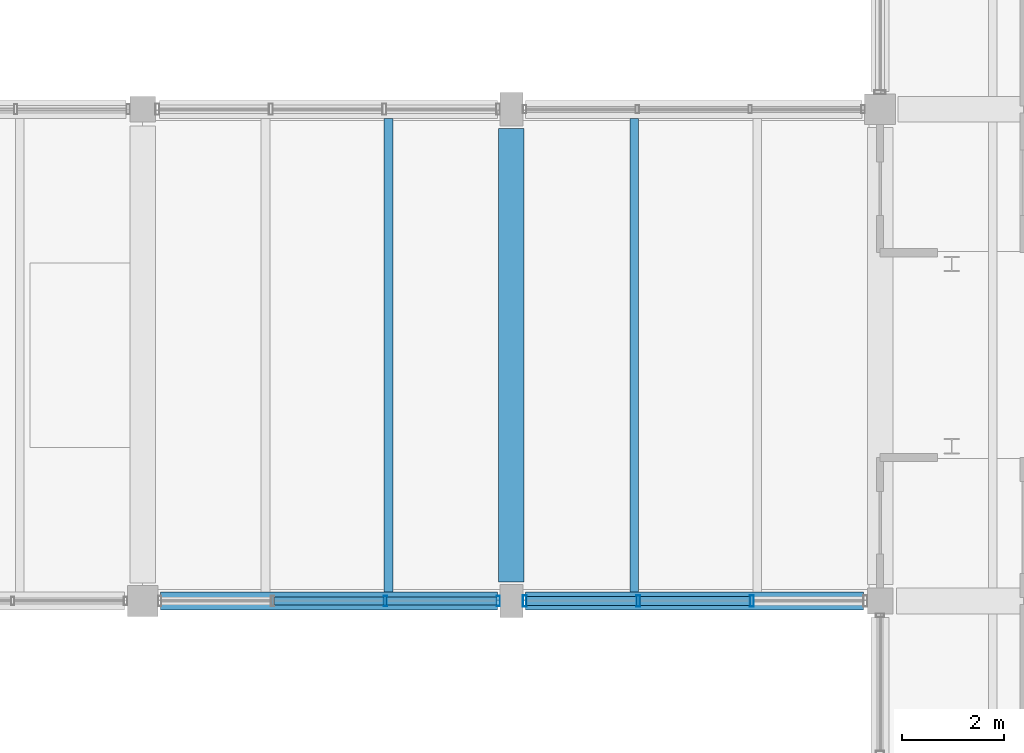
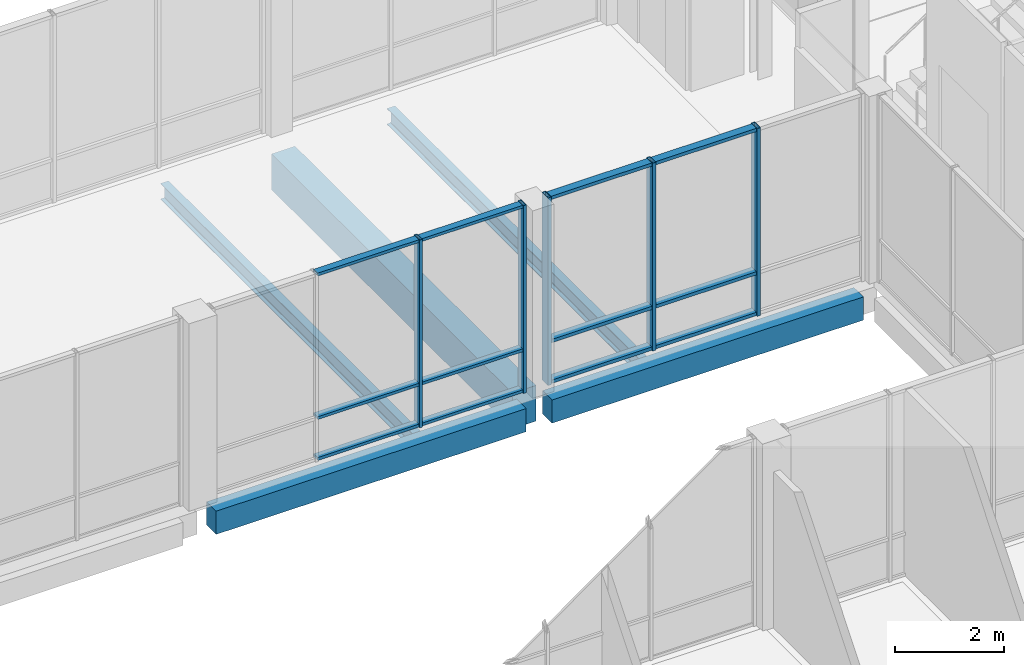
# One storey, part 28 of 104: 17 members, 5 beams, 2 elements without a shape of their own.
"""IFC4 building model written with IfcOpenShell, lengths in metres."""

from ifc_helpers import new_model, si_unit, direction, frame, origin, origin_2d, place, context, subcontext, project, spatial, rectangle, hollow_rectangle, i_section, extrude, material, material_profile, profile_set, type_object, element, aggregate, save


model = new_model("IFC4")

# Units and contexts
model_context = context("Model", 3, precision=1e-05, world=origin(), true_north=direction((0.0, 1.0)))
body_context = subcontext(model_context, "Body", "Model", "MODEL_VIEW")
ifc_project = project(units=[si_unit("LENGTHUNIT", "METRE"), si_unit("AREAUNIT", "SQUARE_METRE"), si_unit("VOLUMEUNIT", "CUBIC_METRE"), si_unit("PLANEANGLEUNIT", "RADIAN"), si_unit("MASSUNIT", "GRAM", prefix="KILO")], contexts=[model_context])

# Site, building, storey
site_placement = place(None, origin())
site = spatial("IfcSite", under=ifc_project, at=site_placement, CompositionType="ELEMENT")
building_placement = place(site_placement, origin())
building = spatial("IfcBuilding", under=site, at=building_placement, Name="Hawrajan Terrace Health Centre", CompositionType="ELEMENT")
storey_placement = place(building_placement, origin())
storey = spatial("IfcBuildingStorey", under=building, at=storey_placement, Name="L00", CompositionType="ELEMENT", Elevation=0.0)

# Curtain wall, members
ifc_material_1 = material(Name="Anodized bronze aluminium and low-E solar glazing", Category="aluminium")
curtain_wall_type_1 = type_object("IfcCurtainWallType", Name="CW_Setback_SeriesL1", PredefinedType="USERDEFINED", material=ifc_material_1)
curtain_wall_1_placement = place(storey_placement, origin())
curtain_wall_1 = element("IfcCurtainWall", 1, at=curtain_wall_1_placement, inside=storey, type_object=curtain_wall_type_1, Name="Curtain wall CW-L00-022", ObjectType="UNITISED CURTAIN WALL", PredefinedType="USERDEFINED")
ifc_material_2 = material(Name="Anodized bronze aluminium 6063-T6", Category="aluminium")
ifc_material_profile_1 = material_profile(ifc_material_2, hollow_rectangle(XDim=0.06494140625, YDim=0.199951171875, WallThickness=0.00439453125, at=origin_2d()), Name="CW MUL 65x200")
ifc_profile_set_1 = profile_set([ifc_material_profile_1], Name="Anodized bronze aluminium 6063-T6")
member_type_1 = type_object("IfcMemberType", Name="CWMullion_65x200", PredefinedType="MULLION", material=ifc_profile_set_1)
member_1_placement = place(storey_placement, frame((52.539306640625, 27.199951171875, -0.0048828125), z_axis=(0.0, 0.0, 1.0), x_axis=(1.0, 0.0, 0.0)))
member_1 = element("IfcMember", 2, at=member_1_placement, type_object=member_type_1, Name="Mullion CW-L00-022-M3", PredefinedType="MULLION", context=body_context, shape_type="SweptSolid", body=[
    extrude(hollow_rectangle(XDim=0.06494140625, YDim=0.199951171875, WallThickness=0.00439453125, at=origin_2d()), origin(), (0.0, 0.0, 1.0), 4.2099609375),
])
member_2_placement = place(storey_placement, frame((54.742431640625, 27.199951171875, -0.0048828125), z_axis=(0.0, 0.0, 1.0), x_axis=(1.0, 0.0, 0.0)))
member_2 = element("IfcMember", 3, at=member_2_placement, type_object=member_type_1, Name="Mullion CW-L00-022-M4", PredefinedType="MULLION", context=body_context, shape_type="SweptSolid", body=[
    extrude(hollow_rectangle(XDim=0.06494140625, YDim=0.199951171875, WallThickness=0.00439453125, at=origin_2d()), origin(), (0.0, 0.0, 1.0), 4.2099609375),
])

curtain_wall_type_2 = type_object("IfcCurtainWallType", Name="CW_Court_SeriesA2", PredefinedType="USERDEFINED", material=ifc_material_1)
curtain_wall_2_placement = place(storey_placement, origin())
curtain_wall_2 = element("IfcCurtainWall", 4, at=curtain_wall_2_placement, inside=storey, type_object=curtain_wall_type_2, Name="Curtain wall CW-L00-026", ObjectType="UNITISED CURTAIN WALL", PredefinedType="USERDEFINED")
ifc_material_profile_2 = material_profile(ifc_material_2, hollow_rectangle(XDim=0.074951171875, YDim=0.219970703125, WallThickness=0.0048828125, at=origin_2d()), Name="CW MUL 75x220")
ifc_profile_set_2 = profile_set([ifc_material_profile_2], Name="Anodized bronze aluminium 6063-T6")
member_type_2 = type_object("IfcMemberType", Name="CWMullion_75x220", PredefinedType="MULLION", material=ifc_profile_set_2)
member_3_placement = place(storey_placement, frame((55.262451171875, 27.199951171875, -0.0048828125), z_axis=(0.0, 0.0, 1.0), x_axis=(1.0, 0.0, 0.0)))
member_3 = element("IfcMember", 5, at=member_3_placement, type_object=member_type_2, Name="Mullion CW-L00-026-M1", PredefinedType="MULLION", context=body_context, shape_type="SweptSolid", body=[
    extrude(hollow_rectangle(XDim=0.074951171875, YDim=0.219970703125, WallThickness=0.0048828125, at=origin_2d()), origin(), (0.0, 0.0, 1.0), 4.2099609375),
])
member_4_placement = place(storey_placement, frame((57.479248046875, 27.199951171875, -0.0048828125), z_axis=(0.0, 0.0, 1.0), x_axis=(1.0, 0.0, 0.0)))
member_4 = element("IfcMember", 6, at=member_4_placement, type_object=member_type_2, Name="Mullion CW-L00-026-M2", PredefinedType="MULLION", context=body_context, shape_type="SweptSolid", body=[
    extrude(hollow_rectangle(XDim=0.074951171875, YDim=0.219970703125, WallThickness=0.0048828125, at=origin_2d()), origin(), (0.0, 0.0, 1.0), 4.2099609375),
])
member_5_placement = place(storey_placement, frame((59.69580078125, 27.199951171875, -0.0048828125), z_axis=(0.0, 0.0, 1.0), x_axis=(1.0, 0.0, 0.0)))
member_5 = element("IfcMember", 7, at=member_5_placement, type_object=member_type_2, Name="Mullion CW-L00-026-M3", PredefinedType="MULLION", context=body_context, shape_type="SweptSolid", body=[
    extrude(hollow_rectangle(XDim=0.074951171875, YDim=0.219970703125, WallThickness=0.0048828125, at=origin_2d()), origin(), (0.0, 0.0, 1.0), 4.2099609375),
])

# Member
ifc_material_profile_3 = material_profile(ifc_material_2, hollow_rectangle(XDim=0.06494140625, YDim=0.14990234375, WallThickness=0.00390625, at=origin_2d()), Name="CW TRN 65x150")
ifc_profile_set_3 = profile_set([ifc_material_profile_3], Name="Anodized bronze aluminium 6063-T6")
member_type_3 = type_object("IfcMemberType", Name="CWTransom_65x150", PredefinedType="USERDEFINED", material=ifc_profile_set_3)
member_6_placement = place(storey_placement, frame((50.3623046875, 27.199951171875, 0.032470703125), z_axis=(1.0, 0.0, 0.0), x_axis=(0.0, 0.0, 1.0)))
member_6 = element("IfcMember", 8, at=member_6_placement, type_object=member_type_3, Name="Transom CW-L00-022-T2-1", ObjectType="TRANSOM", PredefinedType="USERDEFINED", context=body_context, shape_type="SweptSolid", body=[
    extrude(hollow_rectangle(XDim=0.06494140625, YDim=0.14990234375, WallThickness=0.00390625, at=origin_2d()), origin(), (0.0, 0.0, 1.0), 2.150390625),
])

member_7_placement = place(storey_placement, frame((50.3623046875, 27.199951171875, 0.949951171875), z_axis=(1.0, 0.0, 0.0), x_axis=(0.0, 0.0, 1.0)))
member_7 = element("IfcMember", 9, at=member_7_placement, type_object=member_type_3, Name="Transom CW-L00-022-T2-2", ObjectType="TRANSOM", PredefinedType="USERDEFINED", context=body_context, shape_type="SweptSolid", body=[
    extrude(hollow_rectangle(XDim=0.06494140625, YDim=0.14990234375, WallThickness=0.00390625, at=origin_2d()), origin(), (0.0, 0.0, 1.0), 2.150390625),
])

member_8_placement = place(storey_placement, frame((50.3623046875, 27.199951171875, 4.16748046875), z_axis=(1.0, 0.0, 0.0), x_axis=(0.0, 0.0, 1.0)))
member_8 = element("IfcMember", 10, at=member_8_placement, type_object=member_type_3, Name="Transom CW-L00-022-T2-3", ObjectType="TRANSOM", PredefinedType="USERDEFINED", context=body_context, shape_type="SweptSolid", body=[
    extrude(hollow_rectangle(XDim=0.06494140625, YDim=0.14990234375, WallThickness=0.00390625, at=origin_2d()), origin(), (0.0, 0.0, 1.0), 2.150390625),
])

member_9_placement = place(storey_placement, frame((52.565673828125, 27.199951171875, 0.032470703125), z_axis=(1.0, 0.0, 0.0), x_axis=(0.0, 0.0, 1.0)))
member_9 = element("IfcMember", 11, at=member_9_placement, type_object=member_type_3, Name="Transom CW-L00-022-T3-1", ObjectType="TRANSOM", PredefinedType="USERDEFINED", context=body_context, shape_type="SweptSolid", body=[
    extrude(hollow_rectangle(XDim=0.06494140625, YDim=0.14990234375, WallThickness=0.00390625, at=origin_2d()), origin(), (0.0, 0.0, 1.0), 2.150390625),
])

member_10_placement = place(storey_placement, frame((52.565673828125, 27.199951171875, 0.949951171875), z_axis=(1.0, 0.0, 0.0), x_axis=(0.0, 0.0, 1.0)))
member_10 = element("IfcMember", 12, at=member_10_placement, type_object=member_type_3, Name="Transom CW-L00-022-T3-2", ObjectType="TRANSOM", PredefinedType="USERDEFINED", context=body_context, shape_type="SweptSolid", body=[
    extrude(hollow_rectangle(XDim=0.06494140625, YDim=0.14990234375, WallThickness=0.00390625, at=origin_2d()), origin(), (0.0, 0.0, 1.0), 2.150390625),
])

member_11_placement = place(storey_placement, frame((52.565673828125, 27.199951171875, 4.16748046875), z_axis=(1.0, 0.0, 0.0), x_axis=(0.0, 0.0, 1.0)))
member_11 = element("IfcMember", 13, at=member_11_placement, type_object=member_type_3, Name="Transom CW-L00-022-T3-3", ObjectType="TRANSOM", PredefinedType="USERDEFINED", context=body_context, shape_type="SweptSolid", body=[
    extrude(hollow_rectangle(XDim=0.06494140625, YDim=0.14990234375, WallThickness=0.00390625, at=origin_2d()), origin(), (0.0, 0.0, 1.0), 2.150390625),
])

aggregate(curtain_wall_1, [member_1, member_2, member_6, member_7, member_8, member_9, member_10, member_11])

ifc_material_profile_4 = material_profile(ifc_material_2, hollow_rectangle(XDim=0.074951171875, YDim=0.169921875, WallThickness=0.00439453125, at=origin_2d()), Name="CW TRN 75x170")
ifc_profile_set_4 = profile_set([ifc_material_profile_4], Name="Anodized bronze aluminium 6063-T6")
member_type_4 = type_object("IfcMemberType", Name="CWTransom_75x170", PredefinedType="USERDEFINED", material=ifc_profile_set_4)
member_12_placement = place(storey_placement, frame((55.2939453125, 27.199951171875, 0.03759765625), z_axis=(1.0, 0.0, 0.0), x_axis=(0.0, 0.0, 1.0)))
member_12 = element("IfcMember", 14, at=member_12_placement, type_object=member_type_4, Name="Transom CW-L00-026-T1-1", ObjectType="TRANSOM", PredefinedType="USERDEFINED", context=body_context, shape_type="SweptSolid", body=[
    extrude(hollow_rectangle(XDim=0.074951171875, YDim=0.169921875, WallThickness=0.00439453125, at=origin_2d()), origin(), (0.0, 0.0, 1.0), 2.15380859375),
])

member_13_placement = place(storey_placement, frame((55.2939453125, 27.199951171875, 0.949951171875), z_axis=(1.0, 0.0, 0.0), x_axis=(0.0, 0.0, 1.0)))
member_13 = element("IfcMember", 15, at=member_13_placement, type_object=member_type_4, Name="Transom CW-L00-026-T1-2", ObjectType="TRANSOM", PredefinedType="USERDEFINED", context=body_context, shape_type="SweptSolid", body=[
    extrude(hollow_rectangle(XDim=0.074951171875, YDim=0.169921875, WallThickness=0.00439453125, at=origin_2d()), origin(), (0.0, 0.0, 1.0), 2.15380859375),
])

member_14_placement = place(storey_placement, frame((55.2939453125, 27.199951171875, 4.16259765625), z_axis=(1.0, 0.0, 0.0), x_axis=(0.0, 0.0, 1.0)))
member_14 = element("IfcMember", 16, at=member_14_placement, type_object=member_type_4, Name="Transom CW-L00-026-T1-3", ObjectType="TRANSOM", PredefinedType="USERDEFINED", context=body_context, shape_type="SweptSolid", body=[
    extrude(hollow_rectangle(XDim=0.074951171875, YDim=0.169921875, WallThickness=0.00439453125, at=origin_2d()), origin(), (0.0, 0.0, 1.0), 2.15380859375),
])

member_15_placement = place(storey_placement, frame((57.5107421875, 27.199951171875, 0.03759765625), z_axis=(1.0, 0.0, 0.0), x_axis=(0.0, 0.0, 1.0)))
member_15 = element("IfcMember", 17, at=member_15_placement, type_object=member_type_4, Name="Transom CW-L00-026-T2-1", ObjectType="TRANSOM", PredefinedType="USERDEFINED", context=body_context, shape_type="SweptSolid", body=[
    extrude(hollow_rectangle(XDim=0.074951171875, YDim=0.169921875, WallThickness=0.00439453125, at=origin_2d()), origin(), (0.0, 0.0, 1.0), 2.153564453125),
])

member_16_placement = place(storey_placement, frame((57.5107421875, 27.199951171875, 0.949951171875), z_axis=(1.0, 0.0, 0.0), x_axis=(0.0, 0.0, 1.0)))
member_16 = element("IfcMember", 18, at=member_16_placement, type_object=member_type_4, Name="Transom CW-L00-026-T2-2", ObjectType="TRANSOM", PredefinedType="USERDEFINED", context=body_context, shape_type="SweptSolid", body=[
    extrude(hollow_rectangle(XDim=0.074951171875, YDim=0.169921875, WallThickness=0.00439453125, at=origin_2d()), origin(), (0.0, 0.0, 1.0), 2.153564453125),
])

member_17_placement = place(storey_placement, frame((57.5107421875, 27.199951171875, 4.16259765625), z_axis=(1.0, 0.0, 0.0), x_axis=(0.0, 0.0, 1.0)))
member_17 = element("IfcMember", 19, at=member_17_placement, type_object=member_type_4, Name="Transom CW-L00-026-T2-3", ObjectType="TRANSOM", PredefinedType="USERDEFINED", context=body_context, shape_type="SweptSolid", body=[
    extrude(hollow_rectangle(XDim=0.074951171875, YDim=0.169921875, WallThickness=0.00439453125, at=origin_2d()), origin(), (0.0, 0.0, 1.0), 2.153564453125),
])

aggregate(curtain_wall_2, [member_3, member_4, member_5, member_12, member_13, member_14, member_15, member_16, member_17])

# Beams
ifc_material_3 = material(Name="Concrete C40/50", Category="concrete")
ifc_material_profile_5 = material_profile(ifc_material_3, rectangle(XDim=0.5, YDim=0.800048828125, at=origin_2d()), Name="RC BM 500x800")
ifc_profile_set_5 = profile_set([ifc_material_profile_5], Name="Concrete C40/50")
beam_type_1 = type_object("IfcBeamType", Name="RCGirder_500x800", PredefinedType="BEAM", material=ifc_profile_set_5)
beam_1_placement = place(storey_placement, frame((55.0, 27.574951171875, -0.699951171875), z_axis=(0.0, 1.0, 0.0), x_axis=(-1.0, 0.0, 0.0)))
element("IfcBeam", 20, at=beam_1_placement, inside=storey, type_object=beam_type_1, Name="Beam BM-Y-L00-W-X08-4", PredefinedType="BEAM", context=body_context, shape_type="SweptSolid", body=[
    extrude(rectangle(XDim=0.5, YDim=0.800048828125, at=origin_2d()), origin(), (0.0, 0.0, 1.0), 8.85009765625),
])
ifc_material_profile_6 = material_profile(ifc_material_3, rectangle(XDim=0.35009765625, YDim=0.52001953125, at=origin_2d()), Name="RC SP 350x520")
ifc_profile_set_6 = profile_set([ifc_material_profile_6], Name="Concrete C40/50")
beam_type_2 = type_object("IfcBeamType", Name="RCSpandrel_350x520", PredefinedType="SPANDREL", material=ifc_profile_set_6)
beam_2_placement = place(storey_placement, frame((48.14990234375, 27.199951171875, -0.56005859375), z_axis=(1.0, 0.0, 0.0), x_axis=(0.0, 1.0, 0.0)))
element("IfcBeam", 21, at=beam_2_placement, inside=storey, type_object=beam_type_2, Name="Beam BM-X-L00-W-07-Y4", PredefinedType="SPANDREL", context=body_context, shape_type="SweptSolid", body=[
    extrude(rectangle(XDim=0.35009765625, YDim=0.52001953125, at=origin_2d()), origin(), (0.0, 0.0, 1.0), 6.5751953125),
])
beam_3_placement = place(storey_placement, frame((55.27490234375, 27.199951171875, -0.56005859375), z_axis=(1.0, 0.0, 0.0), x_axis=(0.0, 1.0, 0.0)))
element("IfcBeam", 22, at=beam_3_placement, inside=storey, type_object=beam_type_2, Name="Beam BM-X-L00-W-08-Y4", PredefinedType="SPANDREL", context=body_context, shape_type="SweptSolid", body=[
    extrude(rectangle(XDim=0.35009765625, YDim=0.52001953125, at=origin_2d()), origin(), (0.0, 0.0, 1.0), 6.60009765625),
])
ifc_material_4 = material(Name="Steel S355", Category="steel")
ifc_material_profile_7 = material_profile(ifc_material_4, i_section(OverallWidth=0.169921875, OverallDepth=0.360107421875, WebThickness=0.008056640625, FlangeThickness=0.0126953125, FilletRadius=0.01806640625, at=origin_2d()), Name="IPE 360")
ifc_profile_set_7 = profile_set([ifc_material_profile_7], Name="Steel S355")
beam_type_3 = type_object("IfcBeamType", Name="SteelBeam_IPE360", PredefinedType="BEAM", material=ifc_profile_set_7)
for number, where, z_axis, x_axis, name in (
    (23, (52.60009765625, 27.375, -0.47998046875), (0.0, 1.0, 0.0), (-1.0, 0.0, 0.0), "Secondary joist JST-L00-W-07-4-2"),
    (24, (57.39990234375, 27.375, -0.47998046875), (0.0, 1.0, 0.0), (-1.0, 0.0, 0.0), "Secondary joist JST-L00-W-08-4-1"),
):
    element("IfcBeam", number, at=place(storey_placement, frame(where, z_axis=z_axis, x_axis=x_axis)), inside=storey, type_object=beam_type_3, Name=name, PredefinedType="BEAM", context=body_context, shape_type="SweptSolid", body=[
        extrude(i_section(OverallWidth=0.169921875, OverallDepth=0.360107421875, WebThickness=0.008056640625, FlangeThickness=0.0126953125, FilletRadius=0.01806640625, at=origin_2d()), origin(), (0.0, 0.0, 1.0), 9.25),
    ])

save(model, "model.ifc")
